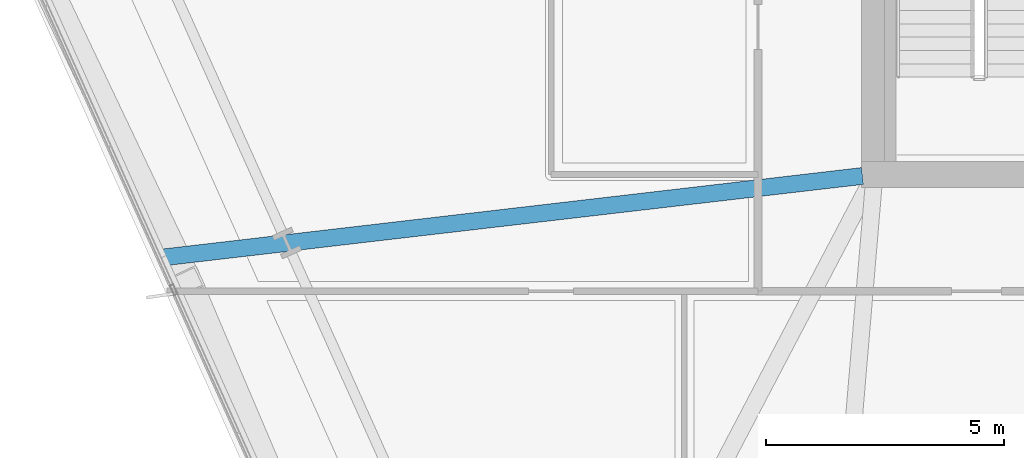
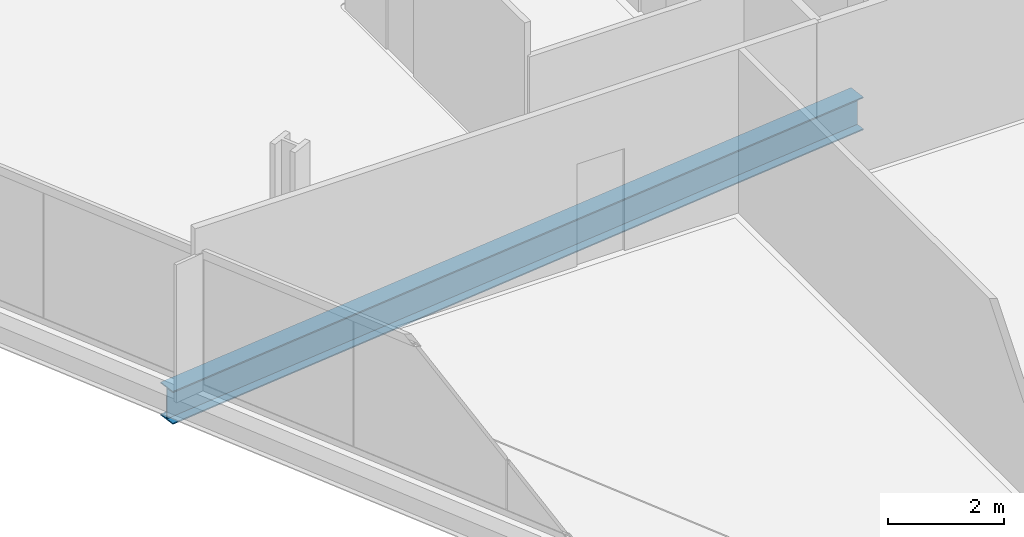
# One storey, part 6 of 38: 1 beam.
"""IFC4 building model written with IfcOpenShell, lengths in metres."""

from ifc_helpers import new_model, si_unit, direction, frame, origin, origin_2d, place, context, subcontext, project, spatial, i_section, extrude, material, material_profile, profile_set, type_object, element, save


model = new_model("IFC4")

# Units and contexts
model_context = context("Model", 3, precision=1e-05, world=origin(), true_north=direction((0.0, 1.0)))
body_context = subcontext(model_context, "Body", "Model", "MODEL_VIEW")
ifc_project = project(units=[si_unit("LENGTHUNIT", "METRE"), si_unit("AREAUNIT", "SQUARE_METRE"), si_unit("VOLUMEUNIT", "CUBIC_METRE"), si_unit("PLANEANGLEUNIT", "RADIAN"), si_unit("MASSUNIT", "GRAM", prefix="KILO")], contexts=[model_context])

# Site, building, storey
site_placement = place(None, origin())
site = spatial("IfcSite", under=ifc_project, at=site_placement, CompositionType="ELEMENT")
building_placement = place(site_placement, origin())
building = spatial("IfcBuilding", under=site, at=building_placement, Name="Haldenkirk Collegiate Tower", CompositionType="ELEMENT")
storey_placement = place(building_placement, frame((0.0, 0.0, 109.199951171875)))
storey = spatial("IfcBuildingStorey", under=building, at=storey_placement, Name="L26", CompositionType="ELEMENT", Elevation=109.199951171875)

# Beam
ifc_material = material(Name="Steel ASTM A992 Grade 50", Category="steel")
ifc_material_profile = material_profile(ifc_material, i_section(OverallWidth=0.35498046875, OverallDepth=0.696044921875, WebThickness=0.015380859375, FlangeThickness=0.02490234375, at=origin_2d()), Name="W27X146")
ifc_profile_set = profile_set([ifc_material_profile], Name="Steel ASTM A992 Grade 50")
beam_type = type_object("IfcBeamType", Name="BM-GIRDER-W27X146", PredefinedType="BEAM", material=ifc_profile_set)
beam_placement = place(storey_placement, frame((12.00732421875, 16.25390625, -0.64794921875), z_axis=(0.99328660075, 0.115679422412, 0.0), x_axis=(-0.115679422412, 0.99328660075, 0.0)))
element("IfcBeam", 1, at=beam_placement, inside=storey, type_object=beam_type, Name="L26 primary floor girder 15", PredefinedType="BEAM", context=body_context, shape_type="SweptSolid", body=[
    extrude(i_section(OverallWidth=0.35498046875, OverallDepth=0.696044921875, WebThickness=0.015380859375, FlangeThickness=0.02490234375, at=origin_2d()), origin(), (0.0, 0.0, 1.0), 14.8388671875),
])

save(model, "model.ifc")
